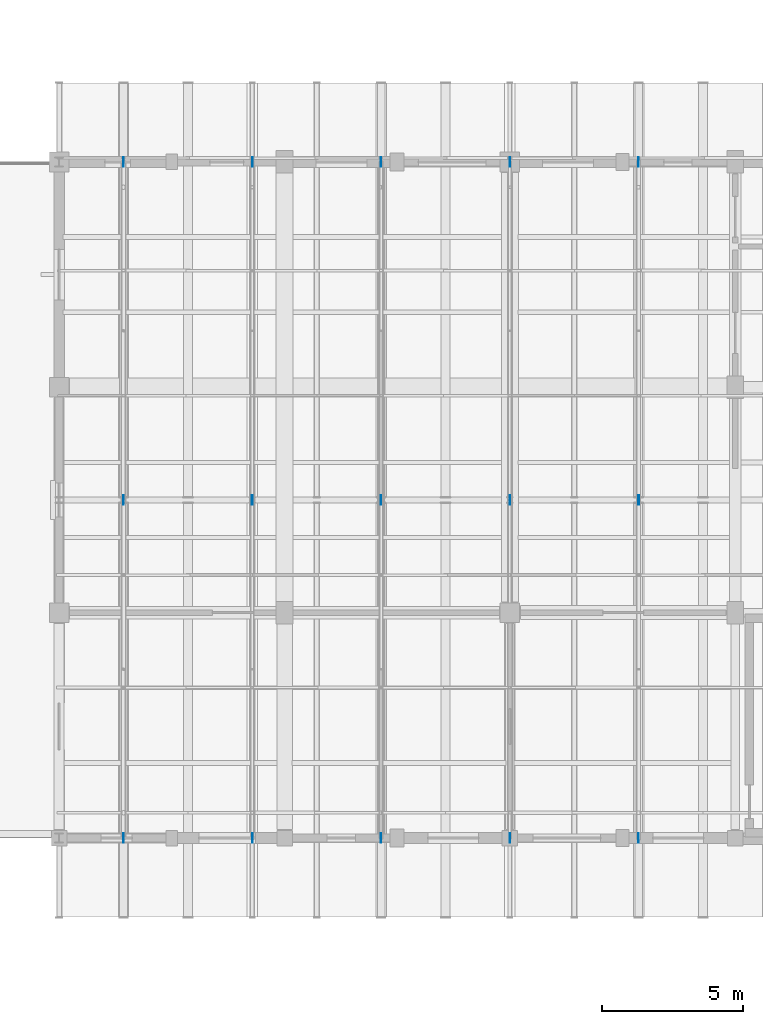
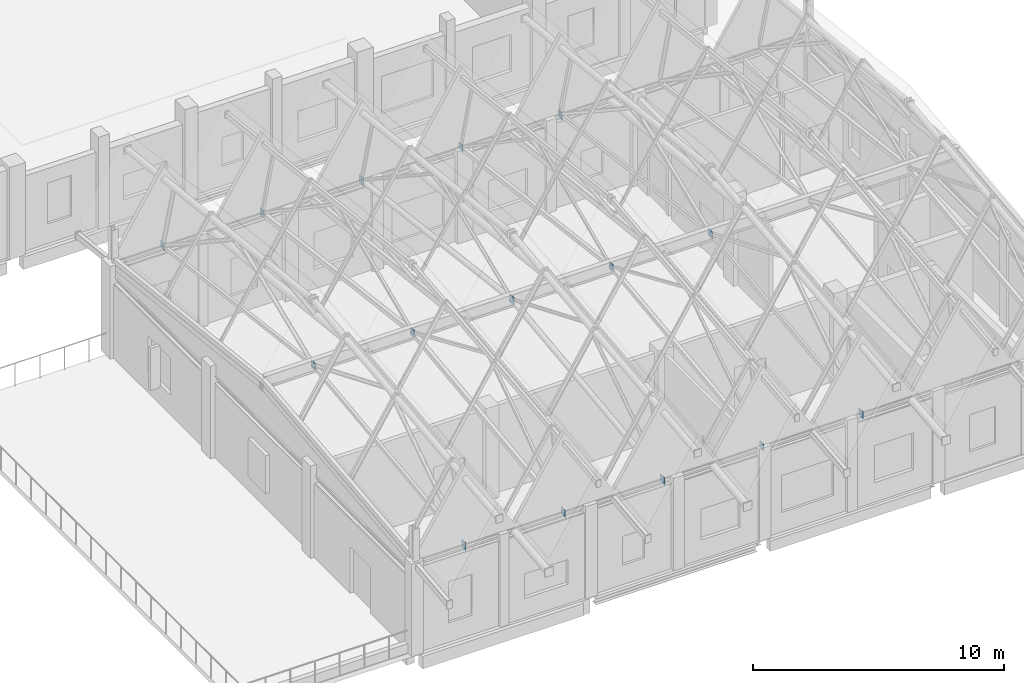
# One storey, part 38 of 77: 15 plates.
"""IFC4 building model written with IfcOpenShell, lengths in metres."""

from ifc_helpers import new_model, si_unit, direction, frame, origin, origin_2d, place, context, subcontext, project, spatial, rectangle, extrude, material, layer, layer_set, type_object, element, save


model = new_model("IFC4")

# Units and contexts
model_context = context("Model", 3, precision=1e-05, world=origin(), true_north=direction((0.0, 1.0)))
body_context = subcontext(model_context, "Body", "Model", "MODEL_VIEW")
ifc_project = project(units=[si_unit("LENGTHUNIT", "METRE"), si_unit("AREAUNIT", "SQUARE_METRE"), si_unit("VOLUMEUNIT", "CUBIC_METRE"), si_unit("PLANEANGLEUNIT", "RADIAN"), si_unit("MASSUNIT", "GRAM", prefix="KILO")], contexts=[model_context])

# Site, building, storey
site_placement = place(None, origin())
site = spatial("IfcSite", under=ifc_project, at=site_placement, CompositionType="ELEMENT")
building_placement = place(site_placement, origin())
building = spatial("IfcBuilding", under=site, at=building_placement, Name="Luwemba Playhouse", CompositionType="ELEMENT")
storey_placement = place(building_placement, frame((0.0, 0.0, 9.300048828125)))
storey = spatial("IfcBuildingStorey", under=building, at=storey_placement, Name="L02", CompositionType="ELEMENT", Elevation=9.300048828125)

# Plates
ifc_material = material(Name="Steel S355", Category="steel")
ifc_layer_1 = layer(ifc_material, 0.01611328125)
ifc_layer_set_1 = layer_set([ifc_layer_1], Name="Steel S355")
plate_type_1 = type_object("IfcPlateType", Name="PLT-GP1", PredefinedType="USERDEFINED", material=ifc_layer_set_1)
for number, where, z_axis, x_axis, name in (
    (1, (142.28564453125, 60.0, 4.22998046875), (0.0, 0.0, 1.0), (1.0, 0.0, 0.0), "Truss node gusset cap plate 0072"),
    (2, (146.857177734375, 60.0, 4.22998046875), (0.0, 0.0, 1.0), (1.0, 0.0, 0.0), "Truss node gusset cap plate 0075"),
    (3, (151.4287109375, 60.0, 4.22998046875), (0.0, 0.0, 1.0), (1.0, 0.0, 0.0), "Truss node gusset cap plate 0078"),
    (4, (156.0, 60.0, 4.22998046875), (0.0, 0.0, 1.0), (1.0, 0.0, 0.0), "Truss node gusset cap plate 0081"),
    (5, (160.5712890625, 60.0, 4.22998046875), (0.0, 0.0, 1.0), (1.0, 0.0, 0.0), "Truss node gusset cap plate 0084"),
):
    element("IfcPlate", number, at=place(storey_placement, frame(where, z_axis=z_axis, x_axis=x_axis)), inside=storey, type_object=plate_type_1, Name=name, ObjectType="GUSSET PLATE", PredefinedType="USERDEFINED", context=body_context, shape_type="SweptSolid", body=[
        extrude(rectangle(XDim=0.01611328125, YDim=0.340087890625, at=origin_2d()), origin(), (0.0, 0.0, 1.0), 0.340087890625),
    ])
ifc_layer_2 = layer(ifc_material, 0.02001953125)
ifc_layer_set_2 = layer_set([ifc_layer_2], Name="Steel S355")
plate_type_2 = type_object("IfcPlateType", Name="PLT-GP2", PredefinedType="USERDEFINED", material=ifc_layer_set_2)
for number, where, z_axis, x_axis, name in (
    (6, (142.28564453125, 36.0, 4.22998046875), (0.0, 0.0, 1.0), (1.0, 0.0, 0.0), "Truss node gusset cap plate 0070"),
    (7, (146.857177734375, 36.0, 4.22998046875), (0.0, 0.0, 1.0), (1.0, 0.0, 0.0), "Truss node gusset cap plate 0073"),
    (8, (151.4287109375, 36.0, 4.22998046875), (0.0, 0.0, 1.0), (1.0, 0.0, 0.0), "Truss node gusset cap plate 0076"),
    (9, (156.0, 36.0, 4.22998046875), (0.0, 0.0, 1.0), (1.0, 0.0, 0.0), "Truss node gusset cap plate 0079"),
    (10, (160.5712890625, 36.0, 4.22998046875), (0.0, 0.0, 1.0), (1.0, 0.0, 0.0), "Truss node gusset cap plate 0082"),
):
    element("IfcPlate", number, at=place(storey_placement, frame(where, z_axis=z_axis, x_axis=x_axis)), inside=storey, type_object=plate_type_2, Name=name, ObjectType="GUSSET PLATE", PredefinedType="USERDEFINED", context=body_context, shape_type="SweptSolid", body=[
        extrude(rectangle(XDim=0.02001953125, YDim=0.340087890625, at=origin_2d()), origin(), (0.0, 0.0, 1.0), 0.340087890625),
    ])
ifc_layer_3 = layer(ifc_material, 0.02490234375)
ifc_layer_set_3 = layer_set([ifc_layer_3], Name="Steel S355")
plate_type_3 = type_object("IfcPlateType", Name="PLT-GP3", PredefinedType="USERDEFINED", material=ifc_layer_set_3)
for number, where, z_axis, x_axis, name in (
    (11, (142.28564453125, 48.0, 5.69580078125), (0.0, 0.0, 1.0), (1.0, 0.0, 0.0), "Truss node gusset cap plate 0071"),
    (12, (146.857177734375, 48.0, 5.69580078125), (0.0, 0.0, 1.0), (1.0, 0.0, 0.0), "Truss node gusset cap plate 0074"),
    (13, (151.4287109375, 48.0, 5.69580078125), (0.0, 0.0, 1.0), (1.0, 0.0, 0.0), "Truss node gusset cap plate 0077"),
    (14, (156.0, 48.0, 5.69580078125), (0.0, 0.0, 1.0), (1.0, 0.0, 0.0), "Truss node gusset cap plate 0080"),
    (15, (160.5712890625, 48.0, 5.69580078125), (0.0, 0.0, 1.0), (1.0, 0.0, 0.0), "Truss node gusset cap plate 0083"),
):
    element("IfcPlate", number, at=place(storey_placement, frame(where, z_axis=z_axis, x_axis=x_axis)), inside=storey, type_object=plate_type_3, Name=name, ObjectType="GUSSET PLATE", PredefinedType="USERDEFINED", context=body_context, shape_type="SweptSolid", body=[
        extrude(rectangle(XDim=0.02490234375, YDim=0.340087890625, at=origin_2d()), origin(), (0.0, 0.0, 1.0), 0.340087890625),
    ])

save(model, "model.ifc")
